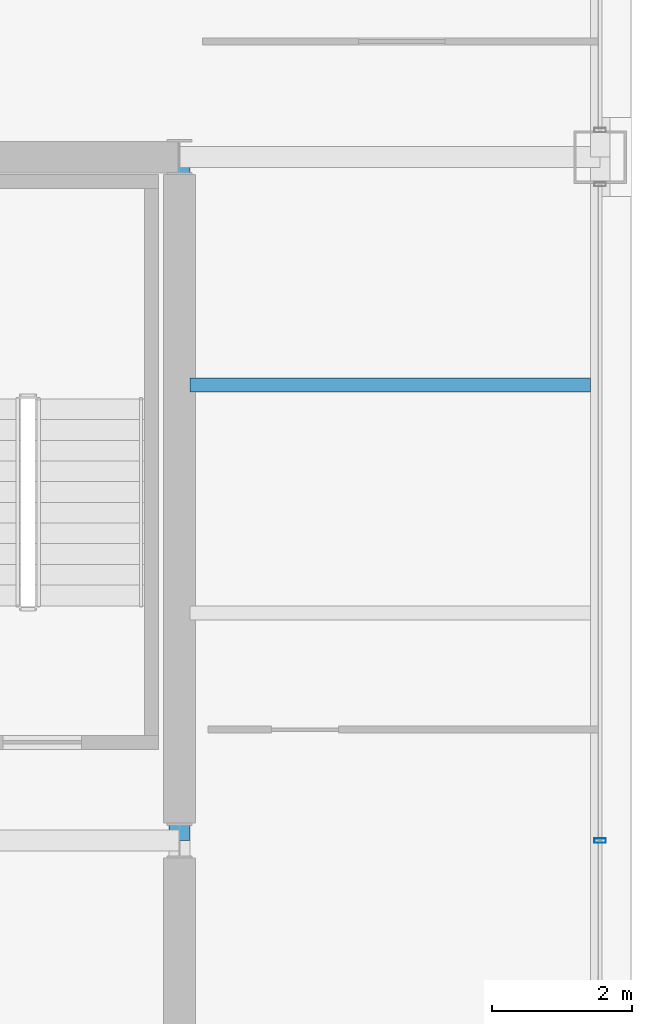
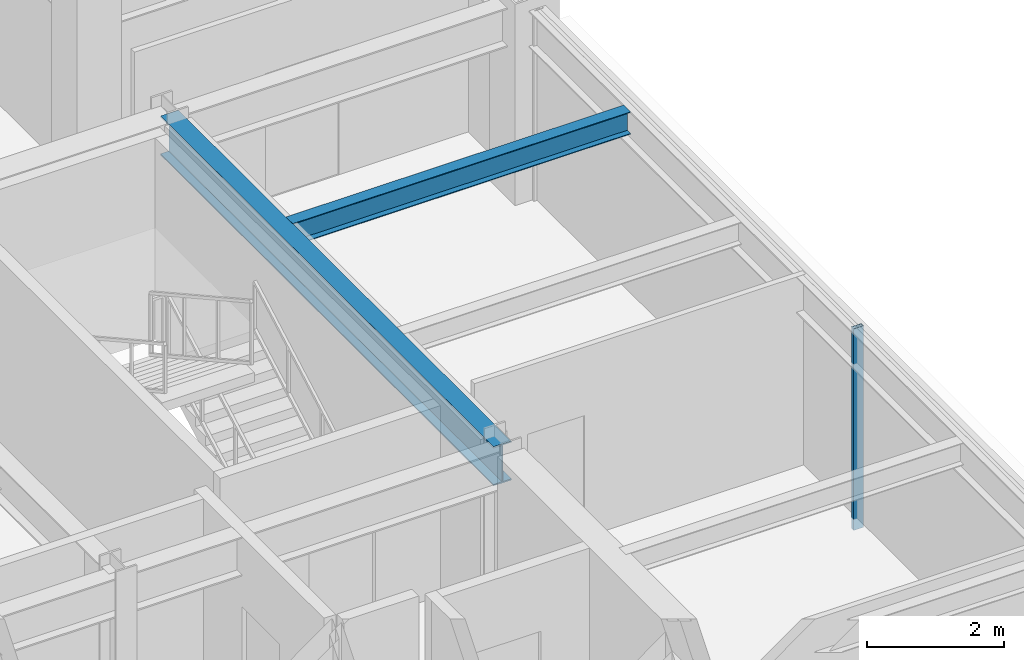
# One storey, part 15 of 28: 2 beams, 1 member, 1 element without a shape of its own.
"""IFC4 building model written with IfcOpenShell, lengths in metres."""

from ifc_helpers import new_model, si_unit, direction, frame, origin, origin_2d, place, context, subcontext, project, spatial, hollow_rectangle, i_section, extrude, material, layer, layer_set, material_profile, profile_set, type_object, element, aggregate, save


model = new_model("IFC4")

# Units and contexts
model_context = context("Model", 3, precision=1e-05, world=origin(), true_north=direction((0.0, 1.0)))
body_context = subcontext(model_context, "Body", "Model", "MODEL_VIEW")
ifc_project = project(units=[si_unit("LENGTHUNIT", "METRE"), si_unit("AREAUNIT", "SQUARE_METRE"), si_unit("VOLUMEUNIT", "CUBIC_METRE"), si_unit("PLANEANGLEUNIT", "RADIAN"), si_unit("MASSUNIT", "GRAM", prefix="KILO")], contexts=[model_context])

# Site, building, storey
site_placement = place(None, origin())
site = spatial("IfcSite", under=ifc_project, at=site_placement, CompositionType="ELEMENT")
building_placement = place(site_placement, origin())
building = spatial("IfcBuilding", under=site, at=building_placement, Name="Brelmoor Portico Tower", CompositionType="ELEMENT")
storey_placement = place(building_placement, frame((0.0, 0.0, 165.89990234375)))
storey = spatial("IfcBuildingStorey", under=building, at=storey_placement, Name="L43", CompositionType="ELEMENT", Elevation=165.89990234375)

# Beams
ifc_material_1 = material(Name="Steel Q355B", Category="steel")
ifc_material_profile_1 = material_profile(ifc_material_1, i_section(OverallWidth=0.199951171875, OverallDepth=0.39990234375, WebThickness=0.008056640625, FlangeThickness=0.012939453125, at=origin_2d()), Name="HN 400x200x8x13")
ifc_profile_set_1 = profile_set([ifc_material_profile_1], Name="Steel Q355B")
beam_type_1 = type_object("IfcBeamType", Name="BM-JS-400", PredefinedType="JOIST", material=ifc_profile_set_1)
beam_1_placement = place(storey_placement, frame((14.699951171875, 6.5, 3.2001953125), z_axis=(1.0, 0.0, 0.0), x_axis=(0.0, 1.0, 0.0)))
element("IfcBeam", 1, at=beam_1_placement, inside=storey, type_object=beam_type_1, Name="L43 Secondary Wing Joist JS-E12", PredefinedType="JOIST", context=body_context, shape_type="SweptSolid", body=[
    extrude(i_section(OverallWidth=0.199951171875, OverallDepth=0.39990234375, WebThickness=0.008056640625, FlangeThickness=0.012939453125, at=origin_2d()), origin(), (0.0, 0.0, 1.0), 5.7099609375),
])
ifc_material_profile_2 = material_profile(ifc_material_1, i_section(OverallWidth=0.300048828125, OverallDepth=0.699951171875, WebThickness=0.012939453125, FlangeThickness=0.02392578125, at=origin_2d()), Name="HN 700x300x13x24")
ifc_profile_set_2 = profile_set([ifc_material_profile_2], Name="Steel Q355B")
beam_type_2 = type_object("IfcBeamType", Name="BM-PG-700", PredefinedType="BEAM", material=ifc_profile_set_2)
beam_2_placement = place(storey_placement, frame((14.550048828125, 0.0, 3.050048828125), z_axis=(0.0, 1.0, 0.0), x_axis=(-1.0, 0.0, 0.0)))
element("IfcBeam", 2, at=beam_2_placement, inside=storey, type_object=beam_type_2, Name="L43 Primary Floor Girder PG-10", PredefinedType="BEAM", context=body_context, shape_type="SweptSolid", body=[
    extrude(i_section(OverallWidth=0.300048828125, OverallDepth=0.699951171875, WebThickness=0.012939453125, FlangeThickness=0.02392578125, at=origin_2d()), origin(), (0.0, 0.0, 1.0), 9.75),
])

# Curtain wall, member
ifc_material_2 = material(Name="Anodised Aluminium Alloy 6063-T6", Category="aluminium")
ifc_layer = layer(ifc_material_2, 0.179931640625)
ifc_layer_set = layer_set([ifc_layer], Name="Anodised Aluminium Alloy 6063-T6")
curtain_wall_type = type_object("IfcCurtainWallType", Name="CW-TOWER-Z3-XB", PredefinedType="NOTDEFINED", material=ifc_layer_set)
curtain_wall_placement = place(storey_placement, origin())
curtain_wall = element("IfcCurtainWall", 3, at=curtain_wall_placement, inside=storey, type_object=curtain_wall_type, Name="L43 Curtain Wall CW-L43-04-2", PredefinedType="NOTDEFINED")
ifc_material_profile_3 = material_profile(ifc_material_2, hollow_rectangle(XDim=0.06494140625, YDim=0.1650390625, WallThickness=0.00390625, at=origin_2d()), Name="ALU MULLION 65x165")
ifc_profile_set_3 = profile_set([ifc_material_profile_3], Name="Anodised Aluminium Alloy 6063-T6")
member_type = type_object("IfcMemberType", Name="MB-CW-MULL-165", PredefinedType="MULLION", material=ifc_profile_set_3)
member_placement = place(storey_placement, frame((20.550048828125, 0.0, -0.199951171875), z_axis=(0.0, 0.0, 1.0), x_axis=(0.0, 1.0, 0.0)))
member = element("IfcMember", 4, at=member_placement, type_object=member_type, Name="CW-L43-04-2 Mullion 01", PredefinedType="MULLION", context=body_context, shape_type="SweptSolid", body=[
    extrude(hollow_rectangle(XDim=0.06494140625, YDim=0.1650390625, WallThickness=0.00390625, at=origin_2d()), origin(), (0.0, 0.0, 1.0), 3.60009765625),
])
aggregate(curtain_wall, [member])

save(model, "model.ifc")
